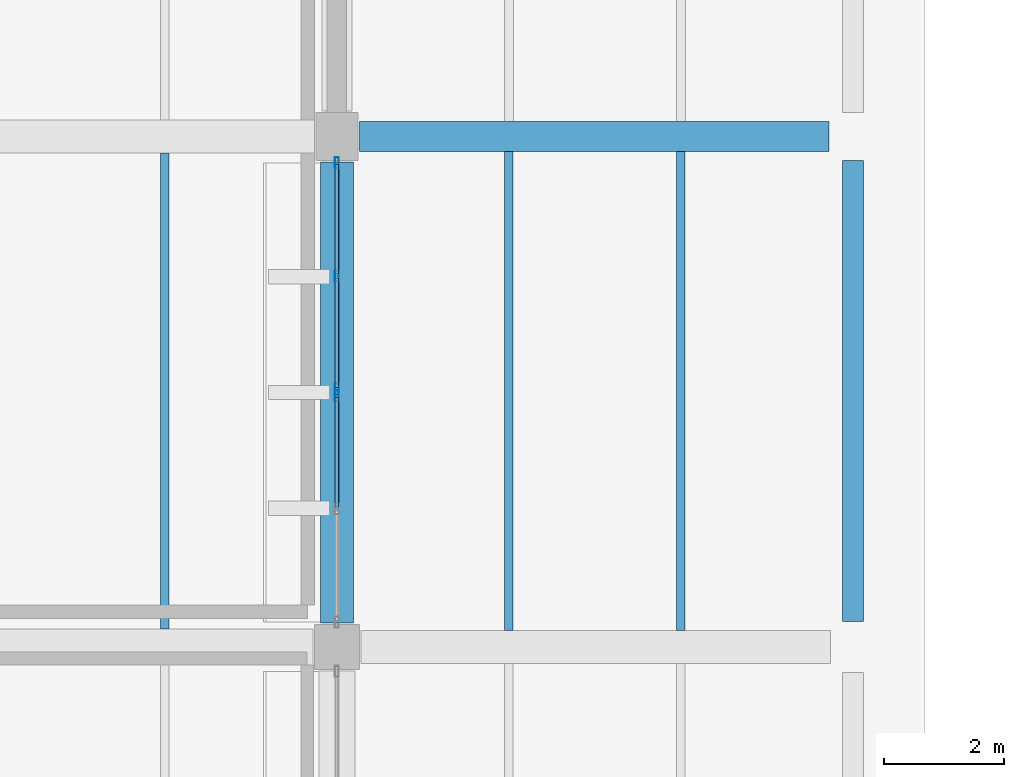
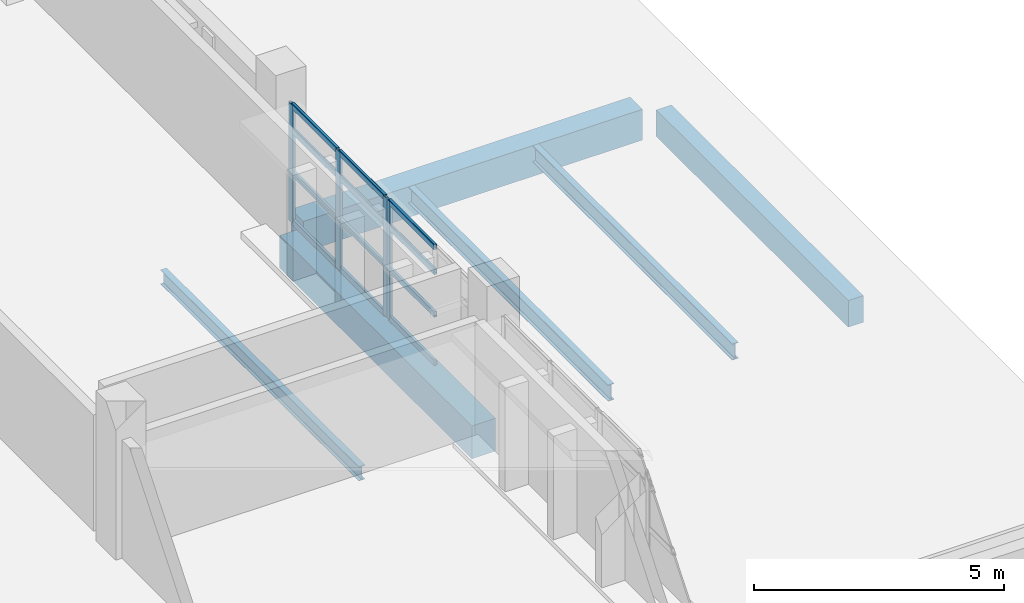
# One storey, part 28 of 80: 16 members, 6 beams, 2 elements without a shape of their own.
"""IFC4 building model written with IfcOpenShell, lengths in metres."""

from ifc_helpers import new_model, si_unit, direction, frame, origin, origin_2d, place, context, subcontext, project, spatial, rectangle, hollow_rectangle, i_section, extrude, material, material_profile, profile_set, type_object, element, aggregate, save


model = new_model("IFC4")

# Units and contexts
model_context = context("Model", 3, precision=1e-05, world=origin(), true_north=direction((0.0, 1.0)))
body_context = subcontext(model_context, "Body", "Model", "MODEL_VIEW")
ifc_project = project(units=[si_unit("LENGTHUNIT", "METRE"), si_unit("AREAUNIT", "SQUARE_METRE"), si_unit("VOLUMEUNIT", "CUBIC_METRE"), si_unit("PLANEANGLEUNIT", "RADIAN"), si_unit("MASSUNIT", "GRAM", prefix="KILO")], contexts=[model_context])

# Site, building, storey
site_placement = place(None, origin())
site = spatial("IfcSite", under=ifc_project, at=site_placement, CompositionType="ELEMENT")
building_placement = place(site_placement, origin())
building = spatial("IfcBuilding", under=site, at=building_placement, Name="Varnakota Cinema and Media Centre", CompositionType="ELEMENT")
storey_placement = place(building_placement, frame((0.0, 0.0, 4.5)))
storey = spatial("IfcBuildingStorey", under=building, at=storey_placement, Name="L01", CompositionType="ELEMENT", Elevation=4.5)

# Beams
ifc_material_1 = material(Name="Concrete M35", Category="concrete")
ifc_material_profile_1 = material_profile(ifc_material_1, rectangle(XDim=0.5, YDim=0.75, at=origin_2d()), Name="RCB 500x750")
ifc_profile_set_1 = profile_set([ifc_material_profile_1], Name="Concrete M35")
beam_type_1 = type_object("IfcBeamType", Name="BM-RC-500x750", PredefinedType="BEAM", material=ifc_profile_set_1)
beam_1_placement = place(storey_placement, frame((34.77490234375, 61.0, -0.625), z_axis=(1.0, 0.0, 0.0), x_axis=(0.0, 1.0, 0.0)))
element("IfcBeam", 1, at=beam_1_placement, inside=storey, type_object=beam_type_1, Name="L01 girder E-F/8", PredefinedType="BEAM", context=body_context, shape_type="SweptSolid", body=[
    extrude(rectangle(XDim=0.5, YDim=0.75, at=origin_2d()), origin(), (0.0, 0.0, 1.0), 7.8251953125),
])
ifc_material_2 = material(Name="Concrete M35", Category="concrete")
ifc_material_profile_2 = material_profile(ifc_material_2, rectangle(XDim=0.550048828125, YDim=0.800048828125, at=origin_2d()), Name="RCB 550x800")
ifc_profile_set_2 = profile_set([ifc_material_profile_2], Name="Concrete M35")
beam_type_2 = type_object("IfcBeamType", Name="BM-RC-550x800", PredefinedType="BEAM", material=ifc_profile_set_2)
beam_2_placement = place(storey_placement, frame((34.39990234375, 52.89990234375, -0.64990234375), z_axis=(0.0, 1.0, 0.0), x_axis=(-1.0, 0.0, 0.0)))
element("IfcBeam", 2, at=beam_2_placement, inside=storey, type_object=beam_type_2, Name="L01 girder E/7-8", PredefinedType="BEAM", context=body_context, shape_type="SweptSolid", body=[
    extrude(rectangle(XDim=0.550048828125, YDim=0.800048828125, at=origin_2d()), origin(), (0.0, 0.0, 1.0), 7.675048828125),
])
ifc_material_3 = material(Name="Concrete M40", Category="concrete")
ifc_material_profile_3 = material_profile(ifc_material_3, rectangle(XDim=0.35009765625, YDim=0.64990234375, at=origin_2d()), Name="RCB 350x650")
ifc_profile_set_3 = profile_set([ifc_material_profile_3], Name="Concrete M40")
beam_type_3 = type_object("IfcBeamType", Name="BM-SP-350x650", PredefinedType="SPANDREL", material=ifc_profile_set_3)
beam_3_placement = place(storey_placement, frame((43.0, 52.925048828125, -0.574951171875), z_axis=(0.0, 1.0, 0.0), x_axis=(-1.0, 0.0, 0.0)))
element("IfcBeam", 3, at=beam_3_placement, inside=storey, type_object=beam_type_3, Name="L01 girder F/7-8", PredefinedType="SPANDREL", context=body_context, shape_type="SweptSolid", body=[
    extrude(rectangle(XDim=0.35009765625, YDim=0.64990234375, at=origin_2d()), origin(), (0.0, 0.0, 1.0), 7.675048828125),
])
ifc_material_4 = material(Name="Structural steel Grade 350 (E350)", Category="steel")
ifc_material_profile_4 = material_profile(ifc_material_4, i_section(OverallWidth=0.139892578125, OverallDepth=0.35009765625, WebThickness=0.008056640625, FlangeThickness=0.01416015625, FilletRadius=0.013916015625, at=origin_2d()), Name="ISMB 350")
ifc_profile_set_4 = profile_set([ifc_material_profile_4], Name="Structural steel Grade 350 (E350)")
beam_type_4 = type_object("IfcBeamType", Name="BM-ST-ISMB350", PredefinedType="JOIST", material=ifc_profile_set_4)
beam_4_placement = place(storey_placement, frame((31.533203125, 52.800048828125, -0.425048828125), z_axis=(0.0, 1.0, 0.0), x_axis=(-1.0, 0.0, 0.0)))
element("IfcBeam", 4, at=beam_4_placement, inside=storey, type_object=beam_type_4, Name="L01 steel joist D-E/7-8 #2", PredefinedType="JOIST", context=body_context, shape_type="SweptSolid", body=[
    extrude(i_section(OverallWidth=0.139892578125, OverallDepth=0.35009765625, WebThickness=0.008056640625, FlangeThickness=0.01416015625, FilletRadius=0.013916015625, at=origin_2d()), origin(), (0.0, 0.0, 1.0), 7.925048828125),
])
ifc_material_5 = material(Name="Structural steel Grade 350 (E350)", Category="steel")
ifc_material_profile_5 = material_profile(ifc_material_5, i_section(OverallWidth=0.139892578125, OverallDepth=0.39990234375, WebThickness=0.0087890625, FlangeThickness=0.01611328125, FilletRadius=0.013916015625, at=origin_2d()), Name="ISMB 400")
ifc_profile_set_5 = profile_set([ifc_material_profile_5], Name="Structural steel Grade 350 (E350)")
beam_type_5 = type_object("IfcBeamType", Name="BM-ST-ISMB400", PredefinedType="JOIST", material=ifc_profile_set_5)
for number, where, z_axis, x_axis, name in (
    (5, (37.2666015625, 52.77490234375, -0.449951171875), (0.0, 1.0, 0.0), (-1.0, 0.0, 0.0), "L01 steel joist E-F/7-8 #1"),
    (6, (40.13330078125, 52.77490234375, -0.449951171875), (0.0, 1.0, 0.0), (-1.0, 0.0, 0.0), "L01 steel joist E-F/7-8 #2"),
):
    element("IfcBeam", number, at=place(storey_placement, frame(where, z_axis=z_axis, x_axis=x_axis)), inside=storey, type_object=beam_type_5, Name=name, PredefinedType="JOIST", context=body_context, shape_type="SweptSolid", body=[
        extrude(i_section(OverallWidth=0.139892578125, OverallDepth=0.39990234375, WebThickness=0.0087890625, FlangeThickness=0.01611328125, FilletRadius=0.013916015625, at=origin_2d()), origin(), (0.0, 0.0, 1.0), 7.97509765625),
    ])

# Curtain wall, member
ifc_material_6 = material(Name="Thermally broken anodised aluminium AW-6063", Category="aluminium")
curtain_wall_type = type_object("IfcCurtainWallType", Name="CW-STD-384x288", PredefinedType="USERDEFINED", material=ifc_material_6)
curtain_wall_1_placement = place(storey_placement, origin())
curtain_wall_1 = element("IfcCurtainWall", 7, at=curtain_wall_1_placement, inside=storey, type_object=curtain_wall_type, Name="L01 curtain wall CW-L01-V5-E-03-1", ObjectType="UNITISED CURTAIN WALL", PredefinedType="USERDEFINED")
ifc_material_7 = material(Name="Thermally broken anodised aluminium AW-6063", Category="aluminium")
ifc_material_profile_6 = material_profile(ifc_material_7, hollow_rectangle(XDim=0.06494140625, YDim=0.179931640625, WallThickness=0.00390625, InnerFilletRadius=0.00390625, OuterFilletRadius=0.008056640625, at=origin_2d()), Name="AL-MULLION 180x65x4")
ifc_profile_set_6 = profile_set([ifc_material_profile_6], Name="Thermally broken anodised aluminium AW-6063")
member_type_1 = type_object("IfcMemberType", Name="CWM-AL-180", PredefinedType="MULLION", material=ifc_profile_set_6)
member_1_placement = place(storey_placement, frame((34.39990234375, 56.68505859375, 0.0), z_axis=(0.0, 0.0, 1.0), x_axis=(-1.0, 0.0, 0.0)))
member_1 = element("IfcMember", 8, at=member_1_placement, type_object=member_type_1, Name="CW26 mullion 3", PredefinedType="MULLION", context=body_context, shape_type="SweptSolid", body=[
    extrude(hollow_rectangle(XDim=0.06494140625, YDim=0.179931640625, WallThickness=0.00390625, InnerFilletRadius=0.00390625, OuterFilletRadius=0.008056640625, at=origin_2d()), origin(), (0.0, 0.0, 1.0), 2.885009765625),
])

# Curtain wall, members
curtain_wall_2_placement = place(storey_placement, origin())
curtain_wall_2 = element("IfcCurtainWall", 9, at=curtain_wall_2_placement, inside=storey, type_object=curtain_wall_type, Name="L01 curtain wall CW-L01-V5-E-03-2", ObjectType="UNITISED CURTAIN WALL", PredefinedType="USERDEFINED")
member_2_placement = place(storey_placement, frame((34.39990234375, 56.7900390625, 0.0), z_axis=(0.0, 0.0, 1.0), x_axis=(-1.0, 0.0, 0.0)))
member_2 = element("IfcMember", 10, at=member_2_placement, type_object=member_type_1, Name="CW26 mullion 1", PredefinedType="MULLION", context=body_context, shape_type="SweptSolid", body=[
    extrude(hollow_rectangle(XDim=0.06494140625, YDim=0.179931640625, WallThickness=0.00390625, InnerFilletRadius=0.00390625, OuterFilletRadius=0.008056640625, at=origin_2d()), origin(), (0.0, 0.0, 1.0), 2.885009765625),
])
member_3_placement = place(storey_placement, frame((34.39990234375, 58.6787109375, 0.0), z_axis=(0.0, 0.0, 1.0), x_axis=(-1.0, 0.0, 0.0)))
member_3 = element("IfcMember", 11, at=member_3_placement, type_object=member_type_1, Name="CW26 mullion 2", PredefinedType="MULLION", context=body_context, shape_type="SweptSolid", body=[
    extrude(hollow_rectangle(XDim=0.06494140625, YDim=0.179931640625, WallThickness=0.00390625, InnerFilletRadius=0.00390625, OuterFilletRadius=0.008056640625, at=origin_2d()), origin(), (0.0, 0.0, 1.0), 2.885009765625),
])
member_4_placement = place(storey_placement, frame((34.39990234375, 60.5673828125, 0.0), z_axis=(0.0, 0.0, 1.0), x_axis=(-1.0, 0.0, 0.0)))
member_4 = element("IfcMember", 12, at=member_4_placement, type_object=member_type_1, Name="CW26 mullion 3", PredefinedType="MULLION", context=body_context, shape_type="SweptSolid", body=[
    extrude(hollow_rectangle(XDim=0.06494140625, YDim=0.179931640625, WallThickness=0.00390625, InnerFilletRadius=0.00390625, OuterFilletRadius=0.008056640625, at=origin_2d()), origin(), (0.0, 0.0, 1.0), 2.885009765625),
])

# Member
ifc_material_8 = material(Name="Thermally broken anodised aluminium AW-6063", Category="aluminium")
ifc_material_profile_7 = material_profile(ifc_material_8, hollow_rectangle(XDim=0.06494140625, YDim=0.139892578125, WallThickness=0.00390625, InnerFilletRadius=0.00390625, OuterFilletRadius=0.008056640625, at=origin_2d()), Name="AL-TRANSOM 140x65x4")
ifc_profile_set_7 = profile_set([ifc_material_profile_7], Name="Thermally broken anodised aluminium AW-6063")
member_type_2 = type_object("IfcMemberType", Name="CWT-AL-140", PredefinedType="USERDEFINED", material=ifc_profile_set_7)
member_5_placement = place(storey_placement, frame((34.39990234375, 54.828857421875, 0.032470703125), z_axis=(0.0, 1.0, 0.0), x_axis=(-1.0, 0.0, 0.0)))
member_5 = element("IfcMember", 13, at=member_5_placement, type_object=member_type_2, Name="CW26 transom 2.1", ObjectType="TRANSOM", PredefinedType="USERDEFINED", context=body_context, shape_type="SweptSolid", body=[
    extrude(hollow_rectangle(XDim=0.06494140625, YDim=0.139892578125, WallThickness=0.00390625, InnerFilletRadius=0.00390625, OuterFilletRadius=0.008056640625, at=origin_2d()), origin(), (0.0, 0.0, 1.0), 1.82373046875),
])

member_6_placement = place(storey_placement, frame((34.39990234375, 54.828857421875, 1.211669921875), z_axis=(0.0, 1.0, 0.0), x_axis=(-1.0, 0.0, 0.0)))
member_6 = element("IfcMember", 14, at=member_6_placement, type_object=member_type_2, Name="CW26 transom 2.2", ObjectType="TRANSOM", PredefinedType="USERDEFINED", context=body_context, shape_type="SweptSolid", body=[
    extrude(hollow_rectangle(XDim=0.06494140625, YDim=0.139892578125, WallThickness=0.00390625, InnerFilletRadius=0.00390625, OuterFilletRadius=0.008056640625, at=origin_2d()), origin(), (0.0, 0.0, 1.0), 1.82373046875),
])

member_7_placement = place(storey_placement, frame((34.39990234375, 54.828857421875, 2.250244140625), z_axis=(0.0, 1.0, 0.0), x_axis=(-1.0, 0.0, 0.0)))
member_7 = element("IfcMember", 15, at=member_7_placement, type_object=member_type_2, Name="CW26 transom 2.3", ObjectType="TRANSOM", PredefinedType="USERDEFINED", context=body_context, shape_type="SweptSolid", body=[
    extrude(hollow_rectangle(XDim=0.06494140625, YDim=0.139892578125, WallThickness=0.00390625, InnerFilletRadius=0.00390625, OuterFilletRadius=0.008056640625, at=origin_2d()), origin(), (0.0, 0.0, 1.0), 1.82373046875),
])

member_8_placement = place(storey_placement, frame((34.39990234375, 54.828857421875, 2.8525390625), z_axis=(0.0, 1.0, 0.0), x_axis=(-1.0, 0.0, 0.0)))
member_8 = element("IfcMember", 16, at=member_8_placement, type_object=member_type_2, Name="CW26 transom 2.4", ObjectType="TRANSOM", PredefinedType="USERDEFINED", context=body_context, shape_type="SweptSolid", body=[
    extrude(hollow_rectangle(XDim=0.06494140625, YDim=0.139892578125, WallThickness=0.00390625, InnerFilletRadius=0.00390625, OuterFilletRadius=0.008056640625, at=origin_2d()), origin(), (0.0, 0.0, 1.0), 1.82373046875),
])

aggregate(curtain_wall_1, [member_1, member_5, member_6, member_7, member_8])

member_9_placement = place(storey_placement, frame((34.39990234375, 56.822509765625, 0.032470703125), z_axis=(0.0, 1.0, 0.0), x_axis=(-1.0, 0.0, 0.0)))
member_9 = element("IfcMember", 17, at=member_9_placement, type_object=member_type_2, Name="CW26 transom 1.1", ObjectType="TRANSOM", PredefinedType="USERDEFINED", context=body_context, shape_type="SweptSolid", body=[
    extrude(hollow_rectangle(XDim=0.06494140625, YDim=0.139892578125, WallThickness=0.00390625, InnerFilletRadius=0.00390625, OuterFilletRadius=0.008056640625, at=origin_2d()), origin(), (0.0, 0.0, 1.0), 1.82373046875),
])

member_10_placement = place(storey_placement, frame((34.39990234375, 56.822509765625, 1.211669921875), z_axis=(0.0, 1.0, 0.0), x_axis=(-1.0, 0.0, 0.0)))
member_10 = element("IfcMember", 18, at=member_10_placement, type_object=member_type_2, Name="CW26 transom 1.2", ObjectType="TRANSOM", PredefinedType="USERDEFINED", context=body_context, shape_type="SweptSolid", body=[
    extrude(hollow_rectangle(XDim=0.06494140625, YDim=0.139892578125, WallThickness=0.00390625, InnerFilletRadius=0.00390625, OuterFilletRadius=0.008056640625, at=origin_2d()), origin(), (0.0, 0.0, 1.0), 1.82373046875),
])

member_11_placement = place(storey_placement, frame((34.39990234375, 56.822509765625, 2.250244140625), z_axis=(0.0, 1.0, 0.0), x_axis=(-1.0, 0.0, 0.0)))
member_11 = element("IfcMember", 19, at=member_11_placement, type_object=member_type_2, Name="CW26 transom 1.3", ObjectType="TRANSOM", PredefinedType="USERDEFINED", context=body_context, shape_type="SweptSolid", body=[
    extrude(hollow_rectangle(XDim=0.06494140625, YDim=0.139892578125, WallThickness=0.00390625, InnerFilletRadius=0.00390625, OuterFilletRadius=0.008056640625, at=origin_2d()), origin(), (0.0, 0.0, 1.0), 1.82373046875),
])

member_12_placement = place(storey_placement, frame((34.39990234375, 56.822509765625, 2.8525390625), z_axis=(0.0, 1.0, 0.0), x_axis=(-1.0, 0.0, 0.0)))
member_12 = element("IfcMember", 20, at=member_12_placement, type_object=member_type_2, Name="CW26 transom 1.4", ObjectType="TRANSOM", PredefinedType="USERDEFINED", context=body_context, shape_type="SweptSolid", body=[
    extrude(hollow_rectangle(XDim=0.06494140625, YDim=0.139892578125, WallThickness=0.00390625, InnerFilletRadius=0.00390625, OuterFilletRadius=0.008056640625, at=origin_2d()), origin(), (0.0, 0.0, 1.0), 1.82373046875),
])

member_13_placement = place(storey_placement, frame((34.39990234375, 58.711181640625, 0.032470703125), z_axis=(0.0, 1.0, 0.0), x_axis=(-1.0, 0.0, 0.0)))
member_13 = element("IfcMember", 21, at=member_13_placement, type_object=member_type_2, Name="CW26 transom 2.1", ObjectType="TRANSOM", PredefinedType="USERDEFINED", context=body_context, shape_type="SweptSolid", body=[
    extrude(hollow_rectangle(XDim=0.06494140625, YDim=0.139892578125, WallThickness=0.00390625, InnerFilletRadius=0.00390625, OuterFilletRadius=0.008056640625, at=origin_2d()), origin(), (0.0, 0.0, 1.0), 1.82373046875),
])

member_14_placement = place(storey_placement, frame((34.39990234375, 58.711181640625, 1.211669921875), z_axis=(0.0, 1.0, 0.0), x_axis=(-1.0, 0.0, 0.0)))
member_14 = element("IfcMember", 22, at=member_14_placement, type_object=member_type_2, Name="CW26 transom 2.2", ObjectType="TRANSOM", PredefinedType="USERDEFINED", context=body_context, shape_type="SweptSolid", body=[
    extrude(hollow_rectangle(XDim=0.06494140625, YDim=0.139892578125, WallThickness=0.00390625, InnerFilletRadius=0.00390625, OuterFilletRadius=0.008056640625, at=origin_2d()), origin(), (0.0, 0.0, 1.0), 1.82373046875),
])

member_15_placement = place(storey_placement, frame((34.39990234375, 58.711181640625, 2.250244140625), z_axis=(0.0, 1.0, 0.0), x_axis=(-1.0, 0.0, 0.0)))
member_15 = element("IfcMember", 23, at=member_15_placement, type_object=member_type_2, Name="CW26 transom 2.3", ObjectType="TRANSOM", PredefinedType="USERDEFINED", context=body_context, shape_type="SweptSolid", body=[
    extrude(hollow_rectangle(XDim=0.06494140625, YDim=0.139892578125, WallThickness=0.00390625, InnerFilletRadius=0.00390625, OuterFilletRadius=0.008056640625, at=origin_2d()), origin(), (0.0, 0.0, 1.0), 1.82373046875),
])

member_16_placement = place(storey_placement, frame((34.39990234375, 58.711181640625, 2.8525390625), z_axis=(0.0, 1.0, 0.0), x_axis=(-1.0, 0.0, 0.0)))
member_16 = element("IfcMember", 24, at=member_16_placement, type_object=member_type_2, Name="CW26 transom 2.4", ObjectType="TRANSOM", PredefinedType="USERDEFINED", context=body_context, shape_type="SweptSolid", body=[
    extrude(hollow_rectangle(XDim=0.06494140625, YDim=0.139892578125, WallThickness=0.00390625, InnerFilletRadius=0.00390625, OuterFilletRadius=0.008056640625, at=origin_2d()), origin(), (0.0, 0.0, 1.0), 1.82373046875),
])

aggregate(curtain_wall_2, [member_2, member_3, member_4, member_9, member_10, member_11, member_12, member_13, member_14, member_15, member_16])

save(model, "model.ifc")
